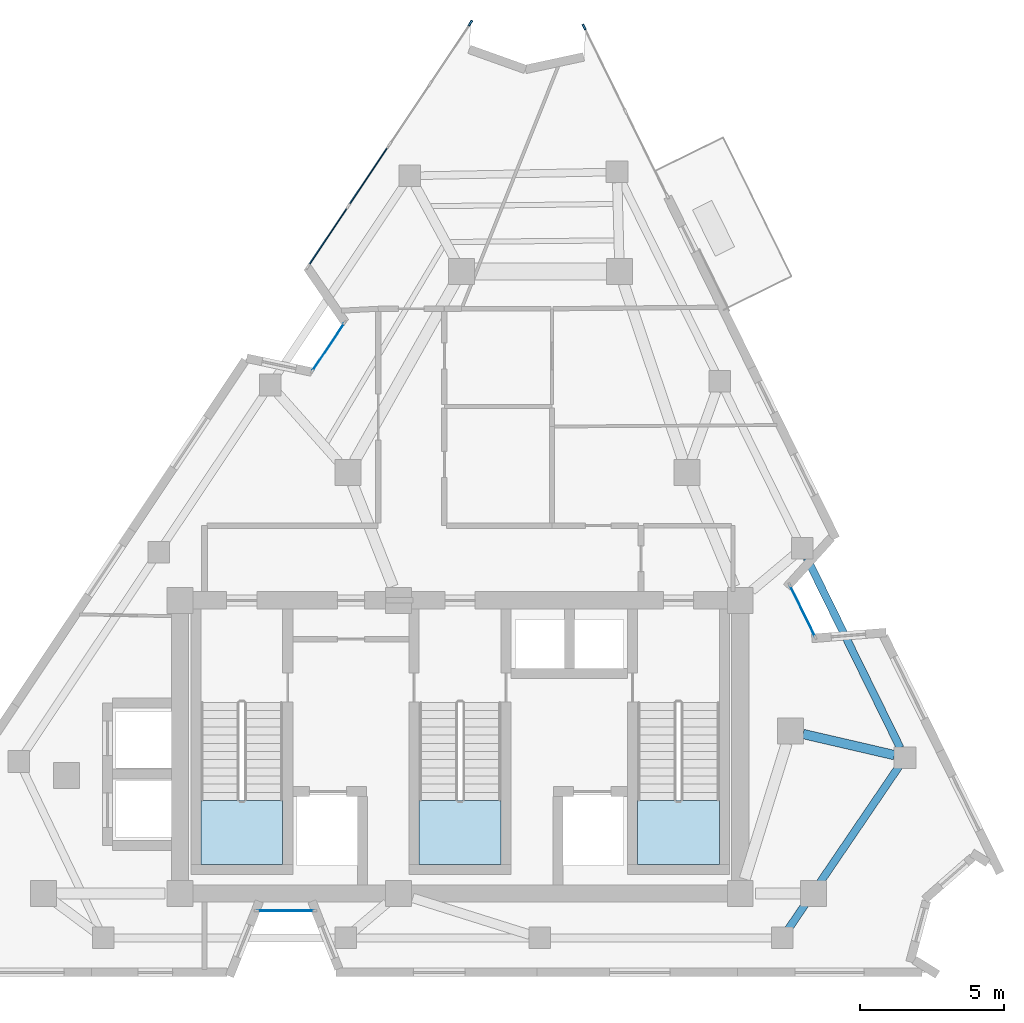
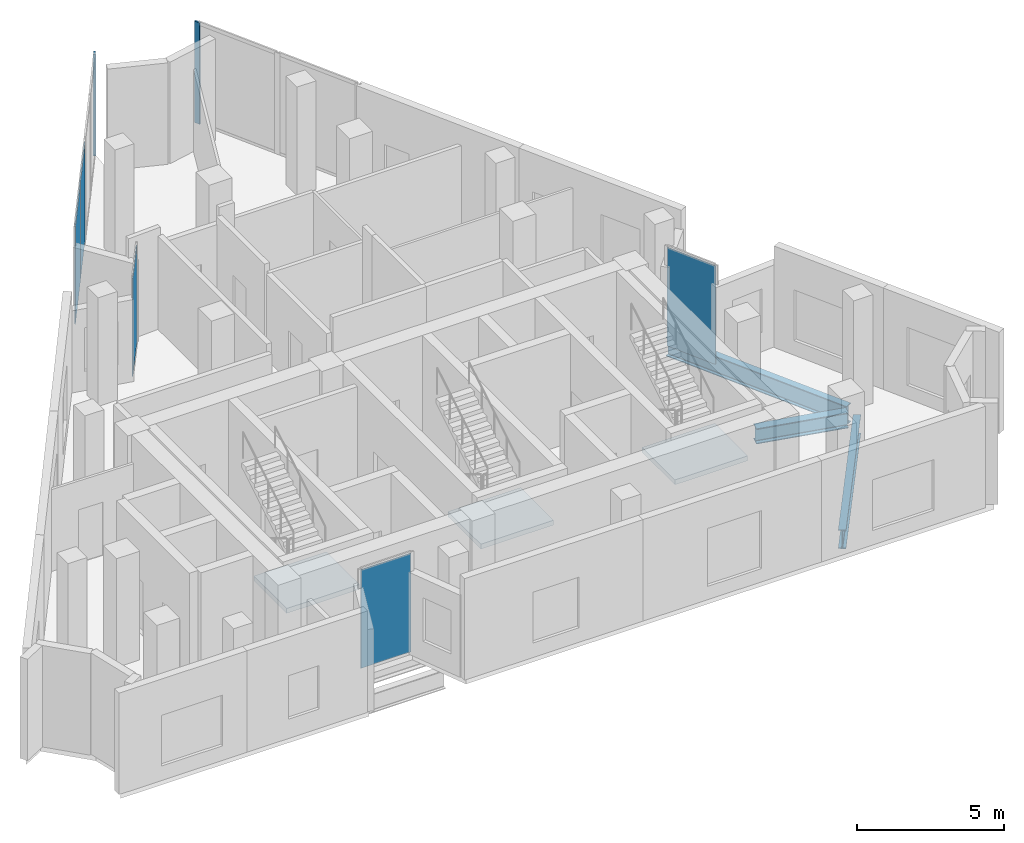
# One storey, part 4 of 9: 5 plates, 3 beams, 3 slabs, 2 members, 9 elements without a shape of their own.
"""IFC4 building model written with IfcOpenShell, lengths in metres."""

from ifc_helpers import new_model, si_unit, direction, frame, origin, origin_2d, place, context, subcontext, project, spatial, polyline, rectangle, i_section, outline, extrude, material, layer, layer_set, material_profile, profile_set, type_object, element, aggregate, save


model = new_model("IFC4")

# Units and contexts
model_context = context("Model", 3, precision=1e-05, world=origin(), true_north=direction((0.0, 1.0)))
body_context = subcontext(model_context, "Body", "Model", "MODEL_VIEW")
ifc_project = project(units=[si_unit("LENGTHUNIT", "METRE"), si_unit("AREAUNIT", "SQUARE_METRE"), si_unit("VOLUMEUNIT", "CUBIC_METRE"), si_unit("PLANEANGLEUNIT", "RADIAN"), si_unit("MASSUNIT", "GRAM", prefix="KILO")], contexts=[model_context])

# Site, building, storey
site_placement = place(None, origin())
site = spatial("IfcSite", under=ifc_project, at=site_placement, CompositionType="ELEMENT")
building_placement = place(site_placement, origin())
building = spatial("IfcBuilding", under=site, at=building_placement, Name="Almagre Mirador Tower", CompositionType="ELEMENT")
storey_placement = place(building_placement, frame((0.0, 0.0, 289.5)))
storey = spatial("IfcBuildingStorey", under=building, at=storey_placement, Name="L75", CompositionType="ELEMENT", Elevation=289.5)

# Beams
ifc_material_1 = material(Name="Steel ASTM A992 Grade 50", Category="steel")
ifc_material_profile_1 = material_profile(ifc_material_1, i_section(OverallWidth=0.26708984375, OverallDepth=0.779052734375, WebThickness=0.0166015625, FlangeThickness=0.030029296875, FilletRadius=0.02392578125, at=origin_2d()), Name="W30X148")
ifc_profile_set_1 = profile_set([ifc_material_profile_1], Name="Steel ASTM A992 Grade 50")
beam_type_1 = type_object("IfcBeamType", Name="BM-SPN-W30X148", PredefinedType="SPANDREL", material=ifc_profile_set_1)
beam_1_placement = place(storey_placement, frame((48.726806640625, 3.31005859375, -0.689453125), z_axis=(0.562310021407, 0.82692650207, 0.0), x_axis=(-0.82692650207, 0.562310021407, 0.0)))
element("IfcBeam", 1, at=beam_1_placement, inside=storey, type_object=beam_type_1, Name="L75 perimeter spandrel beam PC04-PC05", PredefinedType="SPANDREL", context=body_context, shape_type="SweptSolid", body=[
    extrude(i_section(OverallWidth=0.26708984375, OverallDepth=0.779052734375, WebThickness=0.0166015625, FlangeThickness=0.030029296875, FilletRadius=0.02392578125, at=origin_2d()), origin(), (0.0, 0.0, 1.0), 6.842041015625),
])
beam_2_placement = place(storey_placement, frame((52.619384765625, 9.614501953125, -0.689453125), z_axis=(-0.441261435998, 0.897378596302, 0.0), x_axis=(-0.897378596302, -0.441261435998, 0.0)))
element("IfcBeam", 2, at=beam_2_placement, inside=storey, type_object=beam_type_1, Name="L75 perimeter spandrel beam PC05-PC06", PredefinedType="SPANDREL", context=body_context, shape_type="SweptSolid", body=[
    extrude(i_section(OverallWidth=0.26708984375, OverallDepth=0.779052734375, WebThickness=0.0166015625, FlangeThickness=0.030029296875, FilletRadius=0.02392578125, at=origin_2d()), origin(), (0.0, 0.0, 1.0), 7.362548828125),
])
ifc_material_2 = material(Name="Steel ASTM A992 Grade 50", Category="steel")
ifc_material_profile_2 = material_profile(ifc_material_2, i_section(OverallWidth=0.330078125, OverallDepth=0.635009765625, WebThickness=0.017822265625, FlangeThickness=0.031005859375, FilletRadius=0.02001953125, at=origin_2d()), Name="W24X162")
ifc_profile_set_2 = profile_set([ifc_material_profile_2], Name="Steel ASTM A992 Grade 50")
beam_type_2 = type_object("IfcBeamType", Name="BM-STL-W24X162", PredefinedType="BEAM", material=ifc_profile_set_2)
beam_3_placement = place(storey_placement, frame((52.419677734375, 9.362548828125, -0.617431640625), z_axis=(-0.974262507949, 0.225416427094, 0.0), x_axis=(-0.225416427094, -0.974262507949, 0.0)))
element("IfcBeam", 3, at=beam_3_placement, inside=storey, type_object=beam_type_2, Name="L75 radial floor girder PC05-MC3", PredefinedType="BEAM", context=body_context, shape_type="SweptSolid", body=[
    extrude(i_section(OverallWidth=0.330078125, OverallDepth=0.635009765625, WebThickness=0.017822265625, FlangeThickness=0.031005859375, FilletRadius=0.02001953125, at=origin_2d()), origin(), (0.0, 0.0, 1.0), 3.265380859375),
])

# Curtain wall, member
ifc_material_3 = material(Name="Black anodized aluminium", Category="aluminium")
ifc_layer_1 = layer(ifc_material_3, 0.22998046875)
ifc_layer_set_1 = layer_set([ifc_layer_1], Name="Black anodized aluminium")
curtain_wall_type_1 = type_object("IfcCurtainWallType", Name="CW-SKY-SYS", PredefinedType="NOTDEFINED", material=ifc_layer_set_1)
curtain_wall_1_placement = place(storey_placement, origin())
curtain_wall_1 = element("IfcCurtainWall", 4, at=curtain_wall_1_placement, inside=storey, type_object=curtain_wall_type_1, Name="L75 curtain wall run 03", PredefinedType="NOTDEFINED")
ifc_material_4 = material(Name="Black anodized aluminium", Category="aluminium")
ifc_material_profile_3 = material_profile(ifc_material_4, rectangle(XDim=0.070068359375, YDim=0.2099609375, at=origin_2d()), Name="CWM70X210")
ifc_profile_set_3 = profile_set([ifc_material_profile_3], Name="Black anodized aluminium")
member_type = type_object("IfcMemberType", Name="MBR-CWM70X210", PredefinedType="MULLION", material=ifc_profile_set_3)
member_1_placement = place(storey_placement, frame((37.65966796875, 34.843994140625, 0.0), z_axis=(0.0, 0.0, 1.0), x_axis=(-0.831675236071, 0.555262371952, 0.0)))
member_1 = element("IfcMember", 5, at=member_1_placement, type_object=member_type, Name="CW-5 mullion 3", PredefinedType="MULLION", context=body_context, shape_type="SweptSolid", body=[
    extrude(rectangle(XDim=0.070068359375, YDim=0.2099609375, at=origin_2d()), origin(), (0.0, 0.0, 1.0), 4.199951171875),
])
aggregate(curtain_wall_1, [member_1])

curtain_wall_2_placement = place(storey_placement, origin())
curtain_wall_2 = element("IfcCurtainWall", 6, at=curtain_wall_2_placement, inside=storey, type_object=curtain_wall_type_1, Name="L75 curtain wall run 04", PredefinedType="NOTDEFINED")
member_2_placement = place(storey_placement, frame((41.61865234375, 34.705078125, 0.0), z_axis=(0.0, 0.0, 1.0), x_axis=(0.897357610664, 0.441304111225, 0.0)))
member_2 = element("IfcMember", 7, at=member_2_placement, type_object=member_type, Name="CW-5 mullion 1", PredefinedType="MULLION", context=body_context, shape_type="SweptSolid", body=[
    extrude(rectangle(XDim=0.070068359375, YDim=0.2099609375, at=origin_2d()), origin(), (0.0, 0.0, 1.0), 4.199951171875),
])
aggregate(curtain_wall_2, [member_2])

# Curtain wall, plate
ifc_material_5 = material(Name="Black anodized aluminium", Category="aluminium")
ifc_layer_2 = layer(ifc_material_5, 0.169921875)
ifc_layer_set_2 = layer_set([ifc_layer_2], Name="Black anodized aluminium")
curtain_wall_type_2 = type_object("IfcCurtainWallType", Name="CW-CRS-SYS", PredefinedType="NOTDEFINED", material=ifc_layer_set_2)
curtain_wall_3_placement = place(storey_placement, origin())
curtain_wall_3 = element("IfcCurtainWall", 8, at=curtain_wall_3_placement, inside=storey, type_object=curtain_wall_type_2, Name="L75 vertical crease curtain wall 01", PredefinedType="NOTDEFINED")
ifc_material_6 = material(Name="Dark solar-control laminated hurricane glass", Category="glass")
ifc_layer_3 = layer(ifc_material_6, 0.028076171875)
ifc_layer_set_3 = layer_set([ifc_layer_3], Name="Dark solar-control laminated hurricane glass")
plate_type_1 = type_object("IfcPlateType", Name="PLT-GLZ-28", PredefinedType="CURTAIN_PANEL", material=ifc_layer_set_3)
plate_1_placement = place(storey_placement, frame((32.715576171875, 23.56591796875, 0.06005859375), z_axis=(0.0, 0.0, 1.0), x_axis=(0.555472827093, 0.83153468861, 0.0)))
plate_1 = element("IfcPlate", 9, at=plate_1_placement, type_object=plate_type_1, Name="CW-4 panel 1.1", PredefinedType="CURTAIN_PANEL", context=body_context, shape_type="SweptSolid", body=[
    extrude(rectangle(XDim=1.97021484375, YDim=0.028076171875, at=origin_2d()), origin(), (0.0, 0.0, 1.0), 4.080078125),
])
aggregate(curtain_wall_3, [plate_1])

curtain_wall_4_placement = place(storey_placement, origin())
curtain_wall_4 = element("IfcCurtainWall", 10, at=curtain_wall_4_placement, inside=storey, type_object=curtain_wall_type_2, Name="L75 vertical crease curtain wall 05", PredefinedType="NOTDEFINED")
plate_2_placement = place(storey_placement, frame((49.219970703125, 14.3759765625, 0.06005859375), z_axis=(0.0, 0.0, 1.0), x_axis=(0.441079666023, -0.897467953869, 0.0)))
plate_2 = element("IfcPlate", 11, at=plate_2_placement, type_object=plate_type_1, Name="CW-4 panel 1.1", PredefinedType="CURTAIN_PANEL", context=body_context, shape_type="SweptSolid", body=[
    extrude(rectangle(XDim=1.97021484375, YDim=0.028076171875, at=origin_2d()), origin(), (0.0, 0.0, 1.0), 4.080078125),
])
aggregate(curtain_wall_4, [plate_2])

curtain_wall_5_placement = place(storey_placement, origin())
curtain_wall_5 = element("IfcCurtainWall", 12, at=curtain_wall_5_placement, inside=storey, type_object=curtain_wall_type_2, Name="L75 vertical crease curtain wall 06", PredefinedType="NOTDEFINED")
plate_3_placement = place(storey_placement, frame((31.22802734375, 3.949951171875, 0.06005859375), z_axis=(0.0, 0.0, 1.0), x_axis=(-1.0, 0.0, 0.0)))
plate_3 = element("IfcPlate", 13, at=plate_3_placement, type_object=plate_type_1, Name="CW-4 panel 1.1", PredefinedType="CURTAIN_PANEL", context=body_context, shape_type="SweptSolid", body=[
    extrude(rectangle(XDim=1.969970703125, YDim=0.028076171875, at=origin_2d()), origin(), (0.0, 0.0, 1.0), 4.080078125),
])
aggregate(curtain_wall_5, [plate_3])

# Curtain wall, plates
curtain_wall_6_placement = place(storey_placement, origin())
curtain_wall_6 = element("IfcCurtainWall", 14, at=curtain_wall_6_placement, inside=storey, type_object=curtain_wall_type_1, Name="L75 curtain wall run 02", PredefinedType="NOTDEFINED")
ifc_material_7 = material(Name="Dark solar-control laminated hurricane glass", Category="glass")
ifc_layer_4 = layer(ifc_material_7, 0.0400390625)
ifc_layer_set_4 = layer_set([ifc_layer_4], Name="Dark solar-control laminated hurricane glass")
plate_type_2 = type_object("IfcPlateType", Name="PLT-GLZ-40", PredefinedType="CURTAIN_PANEL", material=ifc_layer_set_4)
plate_4_placement = place(storey_placement, frame((32.703857421875, 27.421142578125, 0.06494140625), z_axis=(0.0, 0.0, 1.0), x_axis=(0.555262371952, 0.831675236071, 0.0)))
plate_4 = element("IfcPlate", 15, at=plate_4_placement, type_object=plate_type_2, Name="CW-5 panel 1.1", PredefinedType="CURTAIN_PANEL", context=body_context, shape_type="SweptSolid", body=[
    extrude(rectangle(XDim=2.4599609375, YDim=0.0400390625, at=origin_2d()), origin(), (0.0, 0.0, 1.0), 4.070068359375),
])
plate_5_placement = place(storey_placement, frame((34.108642578125, 29.525390625, 0.06494140625), z_axis=(0.0, 0.0, 1.0), x_axis=(0.555262371952, 0.831675236071, 0.0)))
plate_5 = element("IfcPlate", 16, at=plate_5_placement, type_object=plate_type_2, Name="CW-5 panel 2.1", PredefinedType="CURTAIN_PANEL", context=body_context, shape_type="SweptSolid", body=[
    extrude(rectangle(XDim=2.4599609375, YDim=0.0400390625, at=origin_2d()), origin(), (0.0, 0.0, 1.0), 4.070068359375),
])
aggregate(curtain_wall_6, [plate_4, plate_5])

# Stair, slab
ifc_material_8 = material(Name="Concrete C45/55", Category="concrete")
stair_type = type_object("IfcStairType", Name="STR-DL-4500", PredefinedType="HALF_TURN_STAIR", material=ifc_material_8)
stair_1_placement = place(storey_placement, origin())
stair_1 = element("IfcStair", 17, at=stair_1_placement, inside=storey, type_object=stair_type, Name="L75 Protected exit stair ST-1", PredefinedType="HALF_TURN_STAIR")
ifc_material_9 = material(Name="Concrete C45/55", Category="concrete")
ifc_layer_5 = layer(ifc_material_9, 0.199951171875)
ifc_layer_set_5 = layer_set([ifc_layer_5], Name="Concrete C45/55")
slab_type = type_object("IfcSlabType", Name="SLB-LND-200", PredefinedType="LANDING", material=ifc_layer_set_5)
slab_1_placement = place(storey_placement, frame((0.0, 0.0, 2.050048828125)))
slab_1 = element("IfcSlab", 18, at=slab_1_placement, type_object=slab_type, Name="ST-1 landing 1", PredefinedType="LANDING", context=body_context, shape_type="SweptSolid", body=[
    extrude(outline(polyline([(28.27490234375, 7.780029296875), (28.27490234375, 5.550048828125), (31.125, 5.550048828125), (31.125, 7.780029296875), (28.27490234375, 7.780029296875)])), origin(), (0.0, 0.0, 1.0), 0.199951171875),
])
aggregate(stair_1, [slab_1])

stair_2_placement = place(storey_placement, origin())
stair_2 = element("IfcStair", 19, at=stair_2_placement, inside=storey, type_object=stair_type, Name="L75 Protected exit stair ST-2", PredefinedType="HALF_TURN_STAIR")
slab_2_placement = place(storey_placement, frame((0.0, 0.0, 2.050048828125)))
slab_2 = element("IfcSlab", 20, at=slab_2_placement, type_object=slab_type, Name="ST-2 landing 1", PredefinedType="LANDING", context=body_context, shape_type="SweptSolid", body=[
    extrude(outline(polyline([(35.875, 7.780029296875), (35.875, 5.550048828125), (38.72509765625, 5.550048828125), (38.72509765625, 7.780029296875), (35.875, 7.780029296875)])), origin(), (0.0, 0.0, 1.0), 0.199951171875),
])
aggregate(stair_2, [slab_2])

stair_3_placement = place(storey_placement, origin())
stair_3 = element("IfcStair", 21, at=stair_3_placement, inside=storey, type_object=stair_type, Name="L75 Protected exit stair ST-3", PredefinedType="HALF_TURN_STAIR")
slab_3_placement = place(storey_placement, frame((0.0, 0.0, 2.050048828125)))
slab_3 = element("IfcSlab", 22, at=slab_3_placement, type_object=slab_type, Name="ST-3 landing 1", PredefinedType="LANDING", context=body_context, shape_type="SweptSolid", body=[
    extrude(outline(polyline([(43.47509765625, 7.780029296875), (43.47509765625, 5.550048828125), (46.324951171875, 5.550048828125), (46.324951171875, 7.780029296875), (43.47509765625, 7.780029296875)])), origin(), (0.0, 0.0, 1.0), 0.199951171875),
])
aggregate(stair_3, [slab_3])

save(model, "model.ifc")
